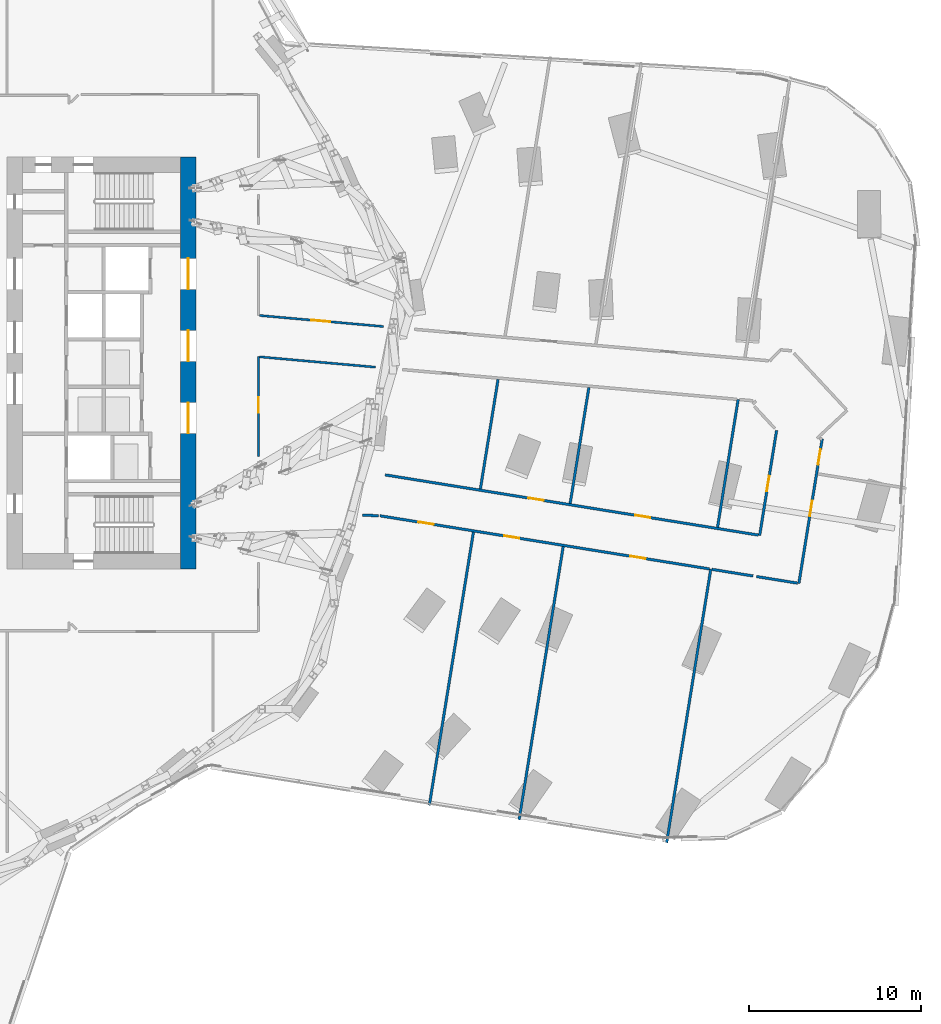
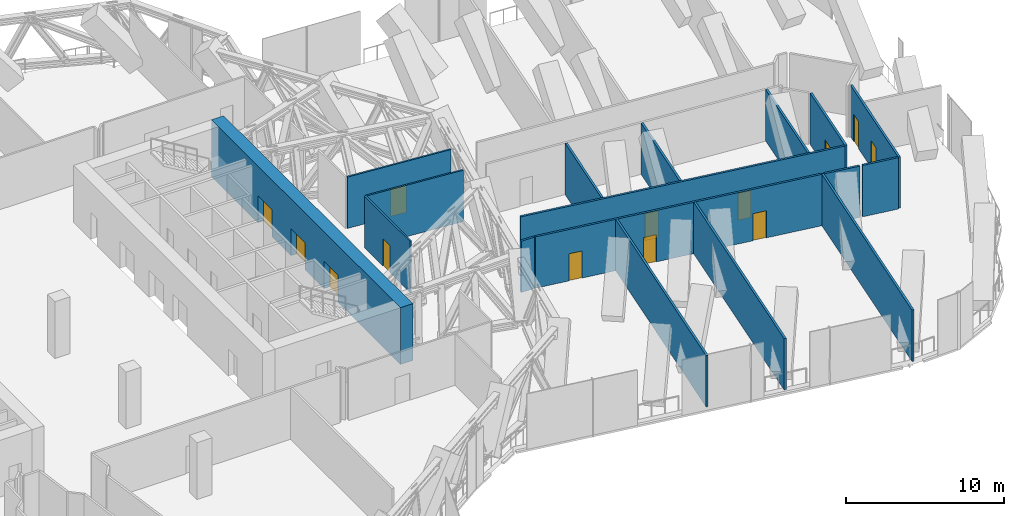
# One storey, part 30 of 39: 17 walls, 13 doors, 13 openings.
"""IFC4 building model written with IfcOpenShell, lengths in metres."""

from ifc_helpers import new_model, si_unit, direction, frame, frame_2d, origin, place, context, subcontext, project, spatial, rectangle, extrude, material, layer, layer_set, type_object, element, fill, save


model = new_model("IFC4")

# Units and contexts
model_context = context("Model", 3, precision=1e-05, world=origin(), true_north=direction((0.0, 1.0)))
body_context = subcontext(model_context, "Body", "Model", "MODEL_VIEW")
ifc_project = project(units=[si_unit("LENGTHUNIT", "METRE"), si_unit("AREAUNIT", "SQUARE_METRE"), si_unit("VOLUMEUNIT", "CUBIC_METRE"), si_unit("PLANEANGLEUNIT", "RADIAN"), si_unit("MASSUNIT", "GRAM", prefix="KILO")], contexts=[model_context])

# Site, building, storey
site_placement = place(None, origin())
site = spatial("IfcSite", under=ifc_project, at=site_placement, CompositionType="ELEMENT")
building_placement = place(site_placement, origin())
building = spatial("IfcBuilding", under=site, at=building_placement, Name="Orlundy Tower", CompositionType="ELEMENT")
storey_placement = place(building_placement, frame((0.0, 0.0, 141.199951171875)))
storey = spatial("IfcBuildingStorey", under=building, at=storey_placement, Name="L36", CompositionType="ELEMENT", Elevation=141.199951171875)

# Wall, openings, doors
ifc_material_1 = material(Name="Concrete C80/95", Category="concrete")
ifc_layer_1 = layer(ifc_material_1, 0.89990234375)
ifc_layer_set_1 = layer_set([ifc_layer_1], Name="CORE WALL 900 C80/95")
wall_type_1 = type_object("IfcWallType", Name="CORE WALL 900 C80/95", PredefinedType="SHEAR", material=ifc_layer_set_1)
wall_1_placement = place(storey_placement, frame((18.550048828125, -12.0, 0.0), z_axis=(0.0, 0.0, 1.0), x_axis=(0.0, 1.0, 0.0)))
wall_1 = element("IfcWall", 1, at=wall_1_placement, inside=storey, type_object=wall_type_1, Name="Core wall E-E L36", PredefinedType="SHEAR", context=body_context, shape_type="SweptSolid", body=[
    extrude(rectangle(XDim=24.0, YDim=0.89990234375, at=frame_2d((12.0, 0.0))), origin(), (0.0, 0.0, 1.0), 4.400146484375),
])
opening_1_placement = place(wall_1_placement, frame((16.300048828125, 0.0, 0.0)))
opening_1 = element("IfcOpeningElement", 2, at=opening_1_placement, cuts=wall_1, Name="Opening 27060", PredefinedType="OPENING", context=body_context, shape_type="SweptSolid", body=[
    extrude(rectangle(XDim=1.800048828125, YDim=2.10009765625, at=frame_2d((0.89990234375, 1.050048828125))), frame((0.0, 0.4599609375, 0.0), z_axis=(0.0, -1.0, 0.0), x_axis=(1.0, 0.0, 0.0)), (0.0, 0.0, 1.0), 0.919921875),
])
opening_2_placement = place(wall_1_placement, frame((12.10009765625, 0.0, 0.0)))
opening_2 = element("IfcOpeningElement", 3, at=opening_2_placement, cuts=wall_1, Name="Opening 27061", PredefinedType="OPENING", context=body_context, shape_type="SweptSolid", body=[
    extrude(rectangle(XDim=1.800048828125, YDim=2.10009765625, at=frame_2d((0.89990234375, 1.050048828125))), frame((0.0, 0.4599609375, 0.0), z_axis=(0.0, -1.0, 0.0), x_axis=(1.0, 0.0, 0.0)), (0.0, 0.0, 1.0), 0.919921875),
])
opening_3_placement = place(wall_1_placement, frame((7.89990234375, 0.0, 0.0)))
opening_3 = element("IfcOpeningElement", 4, at=opening_3_placement, cuts=wall_1, Name="Opening 27062", PredefinedType="OPENING", context=body_context, shape_type="SweptSolid", body=[
    extrude(rectangle(XDim=1.800048828125, YDim=2.10009765625, at=frame_2d((0.89990234375, 1.050048828125))), frame((0.0, 0.4599609375, 0.0), z_axis=(0.0, -1.0, 0.0), x_axis=(1.0, 0.0, 0.0)), (0.0, 0.0, 1.0), 0.919921875),
])
ifc_material_2 = material(Name="Timber door set", Category="wood")
door_type_1 = type_object("IfcDoorType", Name="Lobby Door 1800x2100", OperationType="DOUBLE_DOOR_DOUBLE_SWING", PredefinedType="DOOR", material=ifc_material_2)
door_1_placement = place(opening_1_placement, origin())
door_1 = element("IfcDoor", 5, at=door_1_placement, inside=storey, type_object=door_type_1, Name="Lift lobby door 27060", OperationType="SINGLE_SWING_RIGHT", OverallHeight=2.10009765625, OverallWidth=1.800048828125, PredefinedType="DOOR", context=body_context, shape_type="SweptSolid", body=[
    extrude(rectangle(XDim=1.800048828125, YDim=2.10009765625, at=frame_2d((0.89990234375, 1.050048828125))), frame((0.0, 0.02490234375, 0.0), z_axis=(0.0, -1.0, 0.0), x_axis=(1.0, 0.0, 0.0)), (0.0, 0.0, 1.0), 0.050048828125),
])
fill(opening_1, door_1)
door_2_placement = place(opening_2_placement, origin())
door_2 = element("IfcDoor", 6, at=door_2_placement, inside=storey, type_object=door_type_1, Name="Lift lobby door 27061", OperationType="SINGLE_SWING_RIGHT", OverallHeight=2.10009765625, OverallWidth=1.800048828125, PredefinedType="DOOR", context=body_context, shape_type="SweptSolid", body=[
    extrude(rectangle(XDim=1.800048828125, YDim=2.10009765625, at=frame_2d((0.89990234375, 1.050048828125))), frame((0.0, 0.02490234375, 0.0), z_axis=(0.0, -1.0, 0.0), x_axis=(1.0, 0.0, 0.0)), (0.0, 0.0, 1.0), 0.050048828125),
])
fill(opening_2, door_2)
door_3_placement = place(opening_3_placement, origin())
door_3 = element("IfcDoor", 7, at=door_3_placement, inside=storey, type_object=door_type_1, Name="Lift lobby door 27062", OperationType="SINGLE_SWING_LEFT", OverallHeight=2.10009765625, OverallWidth=1.800048828125, PredefinedType="DOOR", context=body_context, shape_type="SweptSolid", body=[
    extrude(rectangle(XDim=1.800048828125, YDim=2.10009765625, at=frame_2d((0.89990234375, 1.050048828125))), frame((0.0, 0.02490234375, 0.0), z_axis=(0.0, -1.0, 0.0), x_axis=(1.0, 0.0, 0.0)), (0.0, 0.0, 1.0), 0.050048828125),
])
fill(opening_3, door_3)

# Wall
ifc_material_3 = material(Name="Gypsum board partition, double layer")
ifc_layer_2 = layer(ifc_material_3, 0.125)
ifc_layer_set_2 = layer_set([ifc_layer_2], Name="Floor partition 125")
wall_type_2 = type_object("IfcWallType", Name="Floor partition 125", PredefinedType="PARTITIONING", material=ifc_layer_set_2)
wall_2_placement = place(storey_placement, frame((22.712890625, 0.362060546875, 0.0), z_axis=(0.0, 0.0, 1.0), x_axis=(0.996061197998, -0.088668426419, 0.0)))
element("IfcWall", 8, at=wall_2_placement, inside=storey, type_object=wall_type_2, Name="wall-int-L36-027", PredefinedType="PARTITIONING", context=body_context, shape_type="SweptSolid", body=[
    extrude(rectangle(XDim=6.77880859375, YDim=0.125, at=frame_2d((3.389404296875, 0.0))), origin(), (0.0, 0.0, 1.0), 3.97998046875),
])

# Wall, opening, door
wall_3_placement = place(storey_placement, frame((22.712890625, 2.77197265625, 0.0), z_axis=(0.0, 0.0, 1.0), x_axis=(0.996062475847, -0.088654070466, 0.0)))
wall_3 = element("IfcWall", 9, at=wall_3_placement, inside=storey, type_object=wall_type_2, Name="wall-int-L36-030", PredefinedType="PARTITIONING", context=body_context, shape_type="SweptSolid", body=[
    extrude(rectangle(XDim=7.253662109375, YDim=0.125, at=frame_2d((3.626953125, 0.0))), origin(), (0.0, 0.0, 1.0), 3.97998046875),
])
opening_4_placement = place(wall_3_placement, frame((3.03759765625, 0.0, 0.0)))
opening_4 = element("IfcOpeningElement", 10, at=opening_4_placement, cuts=wall_3, Name="Opening 27130", PredefinedType="OPENING", context=body_context, shape_type="SweptSolid", body=[
    extrude(rectangle(XDim=1.10009765625, YDim=2.10009765625, at=frame_2d((0.550048828125, 1.050048828125))), frame((0.0, 0.072509765625, 0.0), z_axis=(0.0, -1.0, 0.0), x_axis=(1.0, 0.0, 0.0)), (0.0, 0.0, 1.0), 0.14501953125),
])
ifc_material_4 = material(Name="Timber door leaf", Category="wood")
door_type_2 = type_object("IfcDoorType", Name="Floor door xwide 1100 FD30S", OperationType="NOTDEFINED", PredefinedType="DOOR", material=ifc_material_4)
door_4_placement = place(opening_4_placement, origin())
door_4 = element("IfcDoor", 11, at=door_4_placement, inside=storey, type_object=door_type_2, Name="Door 27130", OperationType="SINGLE_SWING_LEFT", OverallHeight=2.10009765625, OverallWidth=1.10009765625, PredefinedType="DOOR", context=body_context, shape_type="SweptSolid", body=[
    extrude(rectangle(XDim=1.10009765625, YDim=2.10009765625, at=frame_2d((0.550048828125, 1.050048828125))), frame((0.0, 0.02490234375, 0.0), z_axis=(0.0, -1.0, 0.0), x_axis=(1.0, 0.0, 0.0)), (0.0, 0.0, 1.0), 0.050048828125),
])
fill(opening_4, door_4)

wall_4_placement = place(storey_placement, frame((22.65087890625, 0.367919921875, 0.0), z_axis=(0.0, 0.0, 1.0), x_axis=(0.0, -1.0, 0.0)))
wall_4 = element("IfcWall", 12, at=wall_4_placement, inside=storey, type_object=wall_type_2, Name="wall-int-L36-077", PredefinedType="PARTITIONING", context=body_context, shape_type="SweptSolid", body=[
    extrude(rectangle(XDim=5.805908203125, YDim=0.125, at=frame_2d((2.90283203125, 0.0))), origin(), (0.0, 0.0, 1.0), 3.97998046875),
])
opening_5_placement = place(wall_4_placement, frame((2.35009765625, 0.0, 0.0)))
opening_5 = element("IfcOpeningElement", 13, at=opening_5_placement, cuts=wall_4, Name="Opening 27129", PredefinedType="OPENING", context=body_context, shape_type="SweptSolid", body=[
    extrude(rectangle(XDim=0.89990234375, YDim=2.10009765625, at=frame_2d((0.449951171875, 1.050048828125))), frame((0.0, 0.072509765625, 0.0), z_axis=(0.0, -1.0, 0.0), x_axis=(1.0, 0.0, 0.0)), (0.0, 0.0, 1.0), 0.14501953125),
])
ifc_material_5 = material(Name="Timber door leaf", Category="wood")
door_type_3 = type_object("IfcDoorType", Name="Floor door single 900 FD30S", OperationType="NOTDEFINED", PredefinedType="DOOR", material=ifc_material_5)
door_5_placement = place(opening_5_placement, origin())
door_5 = element("IfcDoor", 14, at=door_5_placement, inside=storey, type_object=door_type_3, Name="Door 27129", OperationType="SINGLE_SWING_LEFT", OverallHeight=2.10009765625, OverallWidth=0.89990234375, PredefinedType="DOOR", context=body_context, shape_type="SweptSolid", body=[
    extrude(rectangle(XDim=0.89990234375, YDim=2.10009765625, at=frame_2d((0.449951171875, 1.050048828125))), frame((0.0, 0.02490234375, 0.0), z_axis=(0.0, -1.0, 0.0), x_axis=(1.0, 0.0, 0.0)), (0.0, 0.0, 1.0), 0.050048828125),
])
fill(opening_5, door_5)

# Wall, openings, doors
ifc_material_6 = material(Name="Blockwork shaft wall", Category="masonry")
ifc_layer_3 = layer(ifc_material_6, 0.14990234375)
ifc_layer_set_3 = layer_set([ifc_layer_3], Name="Floor shaft wall 150")
wall_type_3 = type_object("IfcWallType", Name="Floor shaft wall 150", PredefinedType="PARTITIONING", material=ifc_layer_set_3)
wall_5_placement = place(storey_placement, frame((48.93798828125, -12.0, 0.0), z_axis=(0.0, 0.0, 1.0), x_axis=(-0.987231319148, 0.15929319663, 0.0)))
wall_5 = element("IfcWall", 15, at=wall_5_placement, inside=storey, type_object=wall_type_3, Name="wall-int-L36-021", PredefinedType="PARTITIONING", context=body_context, shape_type="SweptSolid", body=[
    extrude(rectangle(XDim=19.45556640625, YDim=0.14990234375, at=frame_2d((9.727783203125, 0.0))), origin(), (0.0, 0.0, 1.0), 3.97998046875),
])
opening_6_placement = place(wall_5_placement, frame((16.27490234375, 0.0, 0.0)))
opening_6 = element("IfcOpeningElement", 16, at=opening_6_placement, cuts=wall_5, Name="Opening 27109", PredefinedType="OPENING", context=body_context, shape_type="SweptSolid", body=[
    extrude(rectangle(XDim=0.89990234375, YDim=2.10009765625, at=frame_2d((0.449951171875, 1.050048828125))), frame((0.0, 0.0849609375, 0.0), z_axis=(0.0, -1.0, 0.0), x_axis=(1.0, 0.0, 0.0)), (0.0, 0.0, 1.0), 0.169921875),
])
opening_7_placement = place(wall_5_placement, frame((11.22509765625, 0.0, 0.0)))
opening_7 = element("IfcOpeningElement", 17, at=opening_7_placement, cuts=wall_5, Name="Opening 27110", PredefinedType="OPENING", context=body_context, shape_type="SweptSolid", body=[
    extrude(rectangle(XDim=0.89990234375, YDim=2.10009765625, at=frame_2d((0.449951171875, 1.050048828125))), frame((0.0, 0.0849609375, 0.0), z_axis=(0.0, -1.0, 0.0), x_axis=(1.0, 0.0, 0.0)), (0.0, 0.0, 1.0), 0.169921875),
])
opening_8_placement = place(wall_5_placement, frame((3.775146484375, 0.0, 0.0)))
opening_8 = element("IfcOpeningElement", 18, at=opening_8_placement, cuts=wall_5, Name="Opening 27111", PredefinedType="OPENING", context=body_context, shape_type="SweptSolid", body=[
    extrude(rectangle(XDim=0.89990234375, YDim=2.10009765625, at=frame_2d((0.449951171875, 1.050048828125))), frame((0.0, 0.0849609375, 0.0), z_axis=(0.0, -1.0, 0.0), x_axis=(1.0, 0.0, 0.0)), (0.0, 0.0, 1.0), 0.169921875),
])
ifc_material_7 = material(Name="Timber door leaf", Category="wood")
door_type_4 = type_object("IfcDoorType", Name="Floor door single 900 FD60", OperationType="NOTDEFINED", PredefinedType="DOOR", material=ifc_material_7)
door_6_placement = place(opening_6_placement, origin())
door_6 = element("IfcDoor", 19, at=door_6_placement, inside=storey, type_object=door_type_4, Name="Door 27109", OperationType="SINGLE_SWING_RIGHT", OverallHeight=2.10009765625, OverallWidth=0.89990234375, PredefinedType="DOOR", context=body_context, shape_type="SweptSolid", body=[
    extrude(rectangle(XDim=0.89990234375, YDim=2.10009765625, at=frame_2d((0.449951171875, 1.050048828125))), frame((0.0, 0.02490234375, 0.0), z_axis=(0.0, -1.0, 0.0), x_axis=(1.0, 0.0, 0.0)), (0.0, 0.0, 1.0), 0.050048828125),
])
fill(opening_6, door_6)
door_7_placement = place(opening_7_placement, origin())
door_7 = element("IfcDoor", 20, at=door_7_placement, inside=storey, type_object=door_type_4, Name="Door 27110", OperationType="SINGLE_SWING_RIGHT", OverallHeight=2.10009765625, OverallWidth=0.89990234375, PredefinedType="DOOR", context=body_context, shape_type="SweptSolid", body=[
    extrude(rectangle(XDim=0.89990234375, YDim=2.10009765625, at=frame_2d((0.449951171875, 1.050048828125))), frame((0.0, 0.02490234375, 0.0), z_axis=(0.0, -1.0, 0.0), x_axis=(1.0, 0.0, 0.0)), (0.0, 0.0, 1.0), 0.050048828125),
])
fill(opening_7, door_7)
door_8_placement = place(opening_8_placement, origin())
door_8 = element("IfcDoor", 21, at=door_8_placement, inside=storey, type_object=door_type_4, Name="Door 27111", OperationType="SINGLE_SWING_LEFT", OverallHeight=2.10009765625, OverallWidth=0.89990234375, PredefinedType="DOOR", context=body_context, shape_type="SweptSolid", body=[
    extrude(rectangle(XDim=0.89990234375, YDim=2.10009765625, at=frame_2d((0.449951171875, 1.050048828125))), frame((0.0, 0.02490234375, 0.0), z_axis=(0.0, -1.0, 0.0), x_axis=(1.0, 0.0, 0.0)), (0.0, 0.0, 1.0), 0.050048828125),
])
fill(opening_8, door_8)

# Wall
wall_6_placement = place(storey_placement, frame((51.47998046875, -12.409912109375, 0.0), z_axis=(0.0, 0.0, 1.0), x_axis=(-0.987250819117, 0.159172297065, 0.0)))
element("IfcWall", 22, at=wall_6_placement, inside=storey, type_object=wall_type_3, Name="wall-int-L36-022", PredefinedType="PARTITIONING", context=body_context, shape_type="SweptSolid", body=[
    extrude(rectangle(XDim=2.425048828125, YDim=0.14990234375, at=frame_2d((1.21240234375, 0.0))), origin(), (0.0, 0.0, 1.0), 3.97998046875),
])

# Wall, openings, doors
wall_7_placement = place(storey_placement, frame((30.0390625, -6.51806640625, 0.0), z_axis=(0.0, 0.0, 1.0), x_axis=(0.987233083285, -0.159282262876, 0.0)))
wall_7 = element("IfcWall", 23, at=wall_7_placement, inside=storey, type_object=wall_type_3, Name="wall-int-L36-023", PredefinedType="PARTITIONING", context=body_context, shape_type="SweptSolid", body=[
    extrude(rectangle(XDim=22.0302734375, YDim=0.14990234375, at=frame_2d((11.01513671875, 0.0))), origin(), (0.0, 0.0, 1.0), 3.97998046875),
])
opening_9_placement = place(wall_7_placement, frame((8.45654296875, 0.0, 0.0)))
opening_9 = element("IfcOpeningElement", 24, at=opening_9_placement, cuts=wall_7, Name="Opening 27100", PredefinedType="OPENING", context=body_context, shape_type="SweptSolid", body=[
    extrude(rectangle(XDim=0.89990234375, YDim=2.10009765625, at=frame_2d((0.449951171875, 1.050048828125))), frame((0.0, 0.0849609375, 0.0), z_axis=(0.0, -1.0, 0.0), x_axis=(1.0, 0.0, 0.0)), (0.0, 0.0, 1.0), 0.169921875),
])
opening_10_placement = place(wall_7_placement, frame((14.756103515625, 0.0, 0.0)))
opening_10 = element("IfcOpeningElement", 25, at=opening_10_placement, cuts=wall_7, Name="Opening 27106", PredefinedType="OPENING", context=body_context, shape_type="SweptSolid", body=[
    extrude(rectangle(XDim=0.89990234375, YDim=2.10009765625, at=frame_2d((0.449951171875, 1.050048828125))), frame((0.0, 0.0849609375, 0.0), z_axis=(0.0, -1.0, 0.0), x_axis=(1.0, 0.0, 0.0)), (0.0, 0.0, 1.0), 0.169921875),
])
door_9_placement = place(opening_9_placement, origin())
door_9 = element("IfcDoor", 26, at=door_9_placement, inside=storey, type_object=door_type_4, Name="Door 27100", OperationType="SINGLE_SWING_LEFT", OverallHeight=2.10009765625, OverallWidth=0.89990234375, PredefinedType="DOOR", context=body_context, shape_type="SweptSolid", body=[
    extrude(rectangle(XDim=0.89990234375, YDim=2.10009765625, at=frame_2d((0.449951171875, 1.050048828125))), frame((0.0, 0.02490234375, 0.0), z_axis=(0.0, -1.0, 0.0), x_axis=(1.0, 0.0, 0.0)), (0.0, 0.0, 1.0), 0.050048828125),
])
fill(opening_9, door_9)
door_10_placement = place(opening_10_placement, origin())
door_10 = element("IfcDoor", 27, at=door_10_placement, inside=storey, type_object=door_type_4, Name="Door 27106", OperationType="SINGLE_SWING_RIGHT", OverallHeight=2.10009765625, OverallWidth=0.89990234375, PredefinedType="DOOR", context=body_context, shape_type="SweptSolid", body=[
    extrude(rectangle(XDim=0.89990234375, YDim=2.10009765625, at=frame_2d((0.449951171875, 1.050048828125))), frame((0.0, 0.02490234375, 0.0), z_axis=(0.0, -1.0, 0.0), x_axis=(1.0, 0.0, 0.0)), (0.0, 0.0, 1.0), 0.050048828125),
])
fill(opening_10, door_10)

# Walls
wall_8_placement = place(storey_placement, frame((51.675048828125, -12.44189453125, 0.0), z_axis=(0.0, 0.0, 1.0), x_axis=(0.98728137363, -0.15898266976, 0.0)))
element("IfcWall", 28, at=wall_8_placement, inside=storey, type_object=wall_type_3, Name="wall-int-L36-026", PredefinedType="PARTITIONING", context=body_context, shape_type="SweptSolid", body=[
    extrude(rectangle(XDim=2.427734375, YDim=0.14990234375, at=frame_2d((1.2138671875, 0.0))), origin(), (0.0, 0.0, 1.0), 3.97998046875),
])
wall_9_placement = place(storey_placement, frame((28.719970703125, -8.865966796875, 0.0), z_axis=(0.0, 0.0, 1.0), x_axis=(0.999414346134, -0.034219362087, 0.0)))
element("IfcWall", 29, at=wall_9_placement, inside=storey, type_object=wall_type_3, Name="wall-int-L36-033", PredefinedType="PARTITIONING", context=body_context, shape_type="SweptSolid", body=[
    extrude(rectangle(XDim=0.9345703125, YDim=0.14990234375, at=frame_2d((0.46728515625, 0.0))), origin(), (0.0, 0.0, 1.0), 3.97998046875),
])

# Wall, openings, doors
wall_10_placement = place(storey_placement, frame((55.50390625, -4.426025390625, 0.0), z_axis=(0.0, 0.0, 1.0), x_axis=(-0.159212625054, -0.987244316278, 0.0)))
wall_10 = element("IfcWall", 30, at=wall_10_placement, inside=storey, type_object=wall_type_3, Name="wall-int-L36-057", PredefinedType="PARTITIONING", context=body_context, shape_type="SweptSolid", body=[
    extrude(rectangle(XDim=8.522705078125, YDim=0.14990234375, at=frame_2d((4.26123046875, 0.0))), origin(), (0.0, 0.0, 1.0), 3.97998046875),
])
opening_11_placement = place(wall_10_placement, frame((0.6064453125, 0.0, 0.0)))
opening_11 = element("IfcOpeningElement", 31, at=opening_11_placement, cuts=wall_10, Name="Opening 27107", PredefinedType="OPENING", context=body_context, shape_type="SweptSolid", body=[
    extrude(rectangle(XDim=0.89990234375, YDim=2.10009765625, at=frame_2d((0.449951171875, 1.050048828125))), frame((0.0, 0.0849609375, 0.0), z_axis=(0.0, -1.0, 0.0), x_axis=(1.0, 0.0, 0.0)), (0.0, 0.0, 1.0), 0.169921875),
])
opening_12_placement = place(wall_10_placement, frame((3.646484375, 0.0, 0.0)))
opening_12 = element("IfcOpeningElement", 32, at=opening_12_placement, cuts=wall_10, Name="Opening 27108", PredefinedType="OPENING", context=body_context, shape_type="SweptSolid", body=[
    extrude(rectangle(XDim=0.89990234375, YDim=2.10009765625, at=frame_2d((0.449951171875, 1.050048828125))), frame((0.0, 0.0849609375, 0.0), z_axis=(0.0, -1.0, 0.0), x_axis=(1.0, 0.0, 0.0)), (0.0, 0.0, 1.0), 0.169921875),
])
door_11_placement = place(opening_11_placement, origin())
door_11 = element("IfcDoor", 33, at=door_11_placement, inside=storey, type_object=door_type_4, Name="Door 27107", OperationType="SINGLE_SWING_LEFT", OverallHeight=2.10009765625, OverallWidth=0.89990234375, PredefinedType="DOOR", context=body_context, shape_type="SweptSolid", body=[
    extrude(rectangle(XDim=0.89990234375, YDim=2.10009765625, at=frame_2d((0.449951171875, 1.050048828125))), frame((0.0, 0.02490234375, 0.0), z_axis=(0.0, -1.0, 0.0), x_axis=(1.0, 0.0, 0.0)), (0.0, 0.0, 1.0), 0.050048828125),
])
fill(opening_11, door_11)
door_12_placement = place(opening_12_placement, origin())
door_12 = element("IfcDoor", 34, at=door_12_placement, inside=storey, type_object=door_type_4, Name="Door 27108", OperationType="SINGLE_SWING_LEFT", OverallHeight=2.10009765625, OverallWidth=0.89990234375, PredefinedType="DOOR", context=body_context, shape_type="SweptSolid", body=[
    extrude(rectangle(XDim=0.89990234375, YDim=2.10009765625, at=frame_2d((0.449951171875, 1.050048828125))), frame((0.0, 0.02490234375, 0.0), z_axis=(0.0, -1.0, 0.0), x_axis=(1.0, 0.0, 0.0)), (0.0, 0.0, 1.0), 0.050048828125),
])
fill(opening_12, door_12)

# Wall, opening, door
wall_11_placement = place(storey_placement, frame((51.862060546875, -10.0400390625, 0.0), z_axis=(0.0, 0.0, 1.0), x_axis=(0.159329081126, 0.987225528391, 0.0)))
wall_11 = element("IfcWall", 35, at=wall_11_placement, inside=storey, type_object=wall_type_3, Name="wall-int-L36-058", PredefinedType="PARTITIONING", context=body_context, shape_type="SweptSolid", body=[
    extrude(rectangle(XDim=6.195068359375, YDim=0.14990234375, at=frame_2d((3.09765625, 0.0))), origin(), (0.0, 0.0, 1.0), 3.97998046875),
])
opening_13_placement = place(wall_11_placement, frame((2.60009765625, 0.0, 0.0)))
opening_13 = element("IfcOpeningElement", 36, at=opening_13_placement, cuts=wall_11, Name="Opening 27101", PredefinedType="OPENING", context=body_context, shape_type="SweptSolid", body=[
    extrude(rectangle(XDim=0.89990234375, YDim=2.10009765625, at=frame_2d((0.449951171875, 1.050048828125))), frame((0.0, 0.0849609375, 0.0), z_axis=(0.0, -1.0, 0.0), x_axis=(1.0, 0.0, 0.0)), (0.0, 0.0, 1.0), 0.169921875),
])
door_13_placement = place(opening_13_placement, origin())
door_13 = element("IfcDoor", 37, at=door_13_placement, inside=storey, type_object=door_type_4, Name="Door 27101", OperationType="SINGLE_SWING_LEFT", OverallHeight=2.10009765625, OverallWidth=0.89990234375, PredefinedType="DOOR", context=body_context, shape_type="SweptSolid", body=[
    extrude(rectangle(XDim=0.89990234375, YDim=2.10009765625, at=frame_2d((0.449951171875, 1.050048828125))), frame((0.0, 0.02490234375, 0.0), z_axis=(0.0, -1.0, 0.0), x_axis=(1.0, 0.0, 0.0)), (0.0, 0.0, 1.0), 0.050048828125),
])
fill(opening_13, door_13)

# Walls
wall_12_placement = place(storey_placement, frame((46.43994140625, -27.950927734375, 0.0), z_axis=(0.0, 0.0, 1.0), x_axis=(0.159306129376, 0.987229232318, 0.0)))
element("IfcWall", 38, at=wall_12_placement, inside=storey, type_object=wall_type_3, Name="wall-int-L36-059", PredefinedType="PARTITIONING", context=body_context, shape_type="SweptSolid", body=[
    extrude(rectangle(XDim=16.145263671875, YDim=0.14990234375, at=frame_2d((8.07275390625, 0.0))), origin(), (0.0, 0.0, 1.0), 3.97998046875),
])
wall_13_placement = place(storey_placement, frame((49.406982421875, -9.568115234375, 0.0), z_axis=(0.0, 0.0, 1.0), x_axis=(0.159205981762, 0.987245387617, 0.0)))
element("IfcWall", 39, at=wall_13_placement, inside=storey, type_object=wall_type_3, Name="wall-int-L36-060", PredefinedType="PARTITIONING", context=body_context, shape_type="SweptSolid", body=[
    extrude(rectangle(XDim=7.543212890625, YDim=0.14990234375, at=frame_2d((3.771484375, 0.0))), origin(), (0.0, 0.0, 1.0), 3.97998046875),
])
wall_14_placement = place(storey_placement, frame((37.842041015625, -26.618896484375, 0.0), z_axis=(0.0, 0.0, 1.0), x_axis=(0.15930955413, 0.98722867967, 0.0)))
element("IfcWall", 40, at=wall_14_placement, inside=storey, type_object=wall_type_3, Name="wall-int-L36-062", PredefinedType="PARTITIONING", context=body_context, shape_type="SweptSolid", body=[
    extrude(rectangle(XDim=16.125, YDim=0.14990234375, at=frame_2d((8.0625, 0.0))), origin(), (0.0, 0.0, 1.0), 3.97998046875),
])
wall_15_placement = place(storey_placement, frame((40.818115234375, -8.180908203125, 0.0), z_axis=(0.0, 0.0, 1.0), x_axis=(0.159331101149, 0.987225202376, 0.0)))
element("IfcWall", 41, at=wall_15_placement, inside=storey, type_object=wall_type_3, Name="wall-int-L36-063", PredefinedType="PARTITIONING", context=body_context, shape_type="SweptSolid", body=[
    extrude(rectangle(XDim=6.84619140625, YDim=0.14990234375, at=frame_2d((3.423095703125, 0.0))), origin(), (0.0, 0.0, 1.0), 3.97998046875),
])
wall_16_placement = place(storey_placement, frame((32.610107421875, -25.77392578125, 0.0), z_axis=(0.0, 0.0, 1.0), x_axis=(0.159319079651, 0.987227142485, 0.0)))
element("IfcWall", 42, at=wall_16_placement, inside=storey, type_object=wall_type_3, Name="wall-int-L36-065", PredefinedType="PARTITIONING", context=body_context, shape_type="SweptSolid", body=[
    extrude(rectangle(XDim=16.1240234375, YDim=0.14990234375, at=frame_2d((8.06201171875, 0.0))), origin(), (0.0, 0.0, 1.0), 3.97998046875),
])
wall_17_placement = place(storey_placement, frame((35.5859375, -7.3369140625, 0.0), z_axis=(0.0, 0.0, 1.0), x_axis=(0.159237185391, 0.987240355126, 0.0)))
element("IfcWall", 43, at=wall_17_placement, inside=storey, type_object=wall_type_3, Name="wall-int-L36-066", PredefinedType="PARTITIONING", context=body_context, shape_type="SweptSolid", body=[
    extrude(rectangle(XDim=6.468505859375, YDim=0.14990234375, at=frame_2d((3.234375, 0.0))), origin(), (0.0, 0.0, 1.0), 3.97998046875),
])

save(model, "model.ifc")
